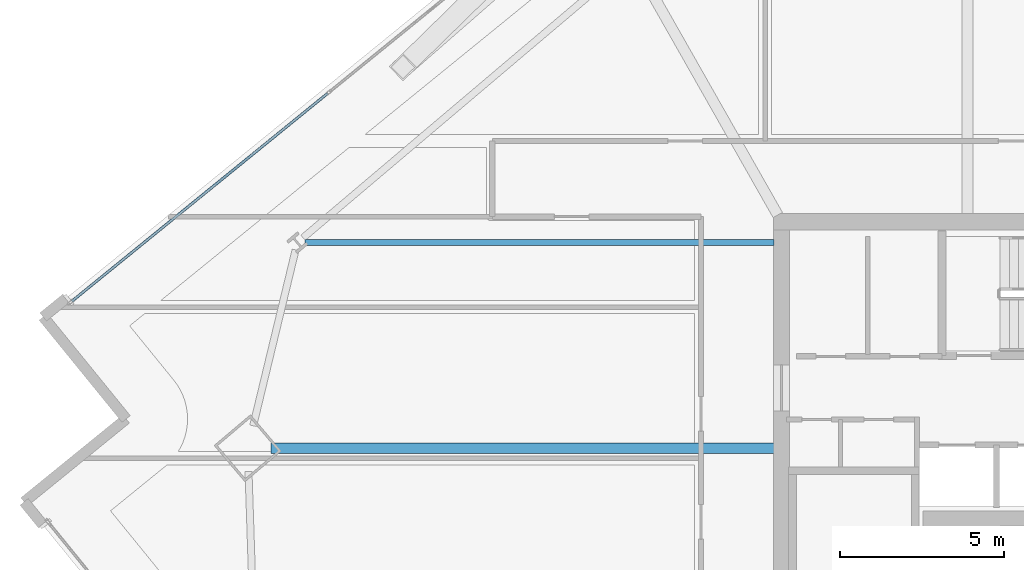
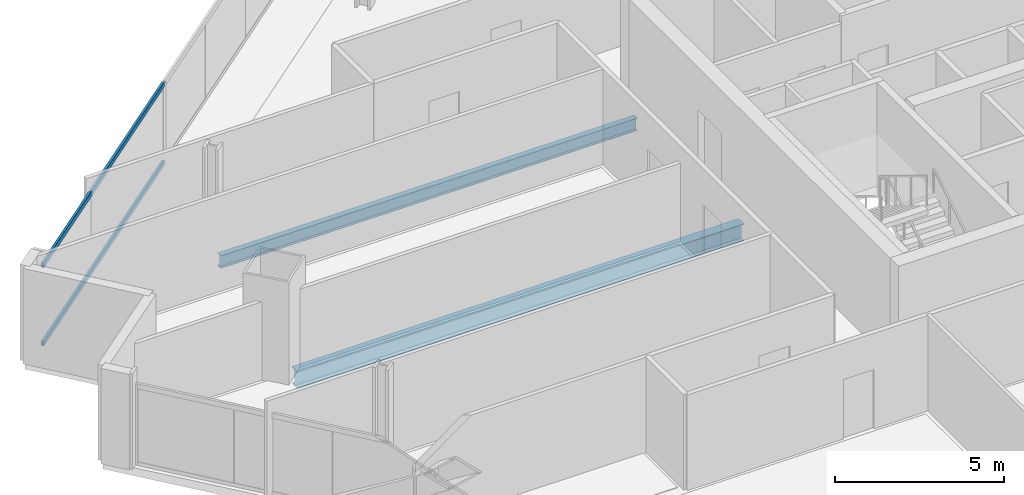
# One storey, part 14 of 36: 2 beams, 2 members, 1 element without a shape of its own.
"""IFC4 building model written with IfcOpenShell, lengths in metres."""

from ifc_helpers import new_model, si_unit, direction, frame, origin, origin_2d, place, context, subcontext, project, spatial, hollow_rectangle, i_section, extrude, material, material_profile, profile_set, type_object, element, aggregate, save


model = new_model("IFC4")

# Units and contexts
model_context = context("Model", 3, precision=1e-05, world=origin(), true_north=direction((0.0, 1.0)))
body_context = subcontext(model_context, "Body", "Model", "MODEL_VIEW")
ifc_project = project(units=[si_unit("LENGTHUNIT", "METRE"), si_unit("AREAUNIT", "SQUARE_METRE"), si_unit("VOLUMEUNIT", "CUBIC_METRE"), si_unit("PLANEANGLEUNIT", "RADIAN"), si_unit("MASSUNIT", "GRAM", prefix="KILO")], contexts=[model_context])

# Site, building, storey
site_placement = place(None, origin())
site = spatial("IfcSite", under=ifc_project, at=site_placement, CompositionType="ELEMENT")
building_placement = place(site_placement, origin())
building = spatial("IfcBuilding", under=site, at=building_placement, Name="Haldenkirk Collegiate Tower", CompositionType="ELEMENT")
storey_placement = place(building_placement, frame((0.0, 0.0, 159.449951171875)))
storey = spatial("IfcBuildingStorey", under=building, at=storey_placement, Name="L39", CompositionType="ELEMENT", Elevation=159.449951171875)

# Beams
ifc_material_1 = material(Name="Steel ASTM A992 Grade 50", Category="steel")
ifc_material_profile_1 = material_profile(ifc_material_1, i_section(OverallWidth=0.324951171875, OverallDepth=0.615966796875, WebThickness=0.013916015625, FlangeThickness=0.021484375, at=origin_2d()), Name="W24X117")
ifc_profile_set_1 = profile_set([ifc_material_profile_1], Name="Steel ASTM A992 Grade 50")
beam_type_1 = type_object("IfcBeamType", Name="BM-GIRDER-W24X117", PredefinedType="BEAM", material=ifc_profile_set_1)
beam_1_placement = place(storey_placement, frame((11.466064453125, 27.103759765625, -0.597900390625), z_axis=(1.0, 0.0, 0.0), x_axis=(0.0, 1.0, 0.0)))
element("IfcBeam", 1, at=beam_1_placement, inside=storey, type_object=beam_type_1, Name="L39 primary floor girder 04", PredefinedType="BEAM", context=body_context, shape_type="SweptSolid", body=[
    extrude(i_section(OverallWidth=0.324951171875, OverallDepth=0.615966796875, WebThickness=0.013916015625, FlangeThickness=0.021484375, at=origin_2d()), origin(), (0.0, 0.0, 1.0), 15.303955078125),
])
ifc_material_profile_2 = material_profile(ifc_material_1, i_section(OverallWidth=0.18994140625, OverallDepth=0.45703125, WebThickness=0.009033203125, FlangeThickness=0.014404296875, at=origin_2d()), Name="W18X50")
ifc_profile_set_2 = profile_set([ifc_material_profile_2], Name="Steel ASTM A992 Grade 50")
beam_type_2 = type_object("IfcBeamType", Name="BM-JOIST-W18X50", PredefinedType="JOIST", material=ifc_profile_set_2)
beam_2_placement = place(storey_placement, frame((12.4990234375, 33.360107421875, -0.5185546875), z_axis=(1.0, 0.0, 0.0), x_axis=(0.0, 1.0, 0.0)))
element("IfcBeam", 2, at=beam_2_placement, inside=storey, type_object=beam_type_2, Name="L39 composite floor joist 13", PredefinedType="JOIST", context=body_context, shape_type="SweptSolid", body=[
    extrude(i_section(OverallWidth=0.18994140625, OverallDepth=0.45703125, WebThickness=0.009033203125, FlangeThickness=0.014404296875, at=origin_2d()), origin(), (0.0, 0.0, 1.0), 14.27099609375),
])

# Curtain wall, members
ifc_material_2 = material(Name="Anodised architectural bronze aluminium", Category="aluminium")
curtain_wall_type = type_object("IfcCurtainWallType", Name="CW-SYS1-CONVEX-LOW", PredefinedType="USERDEFINED", material=ifc_material_2)
curtain_wall_placement = place(storey_placement, origin())
curtain_wall = element("IfcCurtainWall", 3, at=curtain_wall_placement, inside=storey, type_object=curtain_wall_type, Name="L39 Lower tower convex bronze-framed unitised curtain wall", ObjectType="UNITISED CURTAIN WALL", PredefinedType="USERDEFINED")
ifc_material_profile_3 = material_profile(ifc_material_2, hollow_rectangle(XDim=0.080078125, YDim=0.179931640625, WallThickness=0.0048828125, at=origin_2d()), Name="CW-TRN-1A")
ifc_profile_set_3 = profile_set([ifc_material_profile_3], Name="Anodised architectural bronze aluminium")
member_type = type_object("IfcMemberType", Name="CW-TRN-1A", PredefinedType="USERDEFINED", material=ifc_profile_set_3)
member_1_placement = place(storey_placement, frame((5.41162109375, 31.577880859375, 0.0400390625), z_axis=(0.776053688969, 0.630666846946, 0.0), x_axis=(-0.630666846946, 0.776053688969, 0.0)))
member_1 = element("IfcMember", 4, at=member_1_placement, type_object=member_type, Name="CW-1A transom 1.1", ObjectType="TRANSOM", PredefinedType="USERDEFINED", context=body_context, shape_type="SweptSolid", body=[
    extrude(hollow_rectangle(XDim=0.080078125, YDim=0.179931640625, WallThickness=0.0048828125, at=origin_2d()), origin(), (0.0, 0.0, 1.0), 10.030029296875),
])
member_2_placement = place(storey_placement, frame((5.41162109375, 31.577880859375, 2.87109375), z_axis=(0.776053688969, 0.630666846946, 0.0), x_axis=(-0.630666846946, 0.776053688969, 0.0)))
member_2 = element("IfcMember", 5, at=member_2_placement, type_object=member_type, Name="CW-1A transom 1.2", ObjectType="TRANSOM", PredefinedType="USERDEFINED", context=body_context, shape_type="SweptSolid", body=[
    extrude(hollow_rectangle(XDim=0.080078125, YDim=0.179931640625, WallThickness=0.0048828125, at=origin_2d()), origin(), (0.0, 0.0, 1.0), 10.030029296875),
])
aggregate(curtain_wall, [member_1, member_2])

save(model, "model.ifc")
